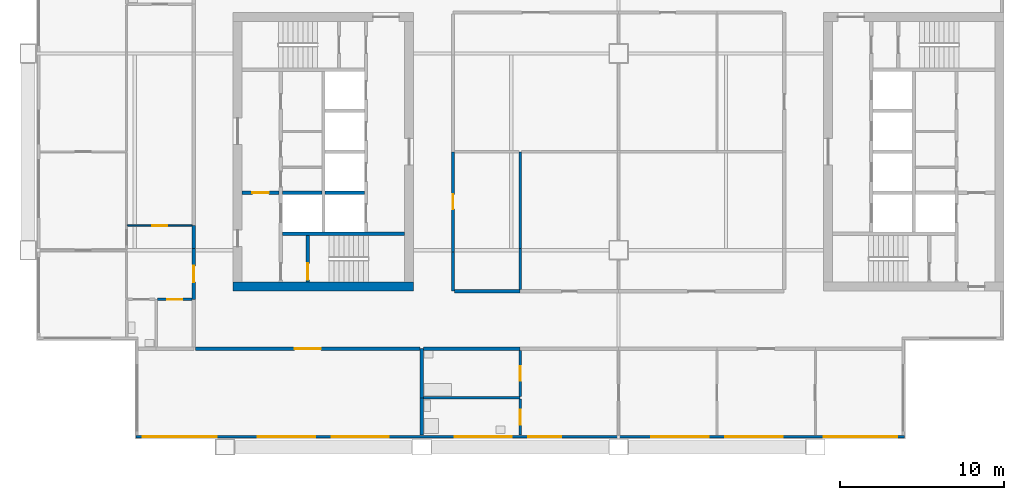
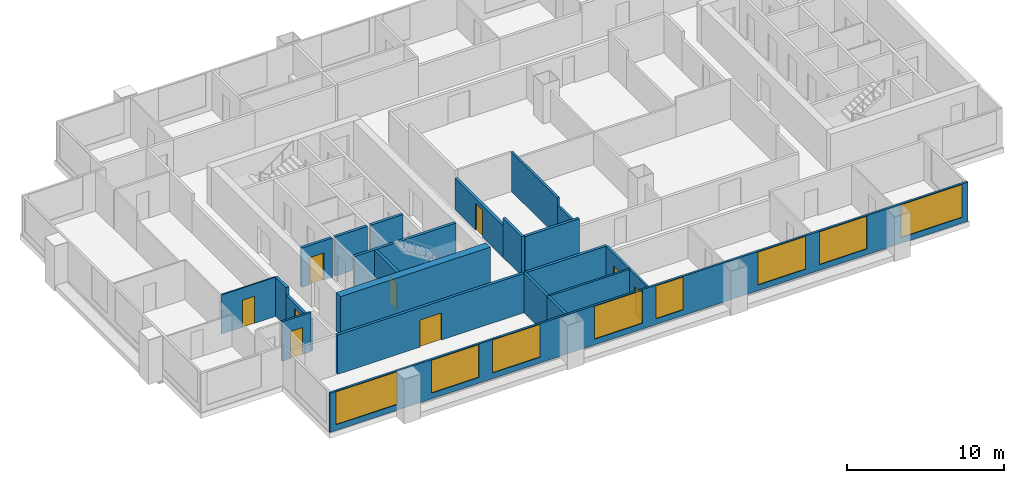
# One storey, part 2 of 9: 23 walls, 9 doors, 8 windows, 17 openings.
"""IFC4 building model written with IfcOpenShell, lengths in metres."""

import ifcopenshell
import ifcopenshell.guid

model = None  # the IFC model being written
_history = None  # IfcOwnerHistory: only IFC2X3 demands one
_inside = {}  # id of a spatial element -> (the spatial element, [elements in it])
_under = {}  # id of a project, library or spatial element -> (it, [spatial elements below it])
_declared = {}  # id of a project -> (the project, [libraries it declares])
_typed = {}  # id of a type object -> (the type object, [elements of that type])
_made_of = {}  # id of a material, layer set ... -> (it, [elements and type objects made of it])


def new_model(schema):
    """Start an empty IFC model of exactly this schema.

    Asked for "IFC4X3", IfcOpenShell would pick the latest addendum, in which some entities
    have other attributes; the version numbers below select the first issue.
    IFC2X3 requires an IfcOwnerHistory on every rooted entity: one is made here for all.
    """
    global model, _history
    if schema == "IFC4X3":
        model = ifcopenshell.file(schema_version=(4, 3, 0, 0))
    else:
        model = ifcopenshell.file(schema=schema)
    _inside.clear()
    _under.clear()
    _declared.clear()
    _typed.clear()
    _made_of.clear()
    _history = None
    if model.schema == "IFC2X3":
        org = make("IfcOrganization", Name="unknown")
        user = make(
            "IfcPersonAndOrganization",
            ThePerson=make("IfcPerson", FamilyName="unknown"),
            TheOrganization=org,
        )
        app = make(
            "IfcApplication",
            ApplicationDeveloper=org,
            Version="unknown",
            ApplicationFullName="unknown",
            ApplicationIdentifier="unknown",
        )
        _history = make(
            "IfcOwnerHistory",
            OwningUser=user,
            OwningApplication=app,
            ChangeAction="ADDED",
            CreationDate=0,
        )
    return model


def make(cls, **values):
    """One entity of the class cls with the attributes given. An attribute that is None is left unset."""
    return model.create_entity(
        cls, **{name: value for name, value in values.items() if value is not None}
    )


def rooted(cls, **values):
    """An entity with a GlobalId (a new one), such as an element, a storey or a relation."""
    return make(cls, GlobalId=ifcopenshell.guid.new(), OwnerHistory=_history, **values)


def si_unit(unit_type, name, prefix=None):
    """IfcSIUnit, for example si_unit("LENGTHUNIT", "METRE", prefix="MILLI")."""
    return make("IfcSIUnit", UnitType=unit_type, Prefix=prefix, Name=name)


def assignment(units):
    """IfcUnitAssignment: the units of a project."""
    return None if units is None else make("IfcUnitAssignment", Units=units)


def point(xyz):
    """IfcCartesianPoint."""
    return None if xyz is None else make("IfcCartesianPoint", Coordinates=xyz)


def direction(xyz):
    """IfcDirection."""
    return None if xyz is None else make("IfcDirection", DirectionRatios=xyz)


def frame(location, z_axis=None, x_axis=None):
    """IfcAxis2Placement3D, a coordinate frame: its origin and axes. An axis left out is left unset."""
    return make(
        "IfcAxis2Placement3D",
        Location=point(location),
        Axis=direction(z_axis),
        RefDirection=direction(x_axis),
    )


def frame_2d(location, x_axis=None):
    """IfcAxis2Placement2D, a coordinate frame in the plane: its origin and x axis."""
    return make(
        "IfcAxis2Placement2D", Location=point(location), RefDirection=direction(x_axis)
    )


def origin():
    """The frame at (0, 0, 0) with its axes left unset."""
    return frame((0.0, 0.0, 0.0))


def place(relative_to, where):
    """IfcLocalPlacement: puts the frame where relative to a parent placement (None: the world)."""
    return make(
        "IfcLocalPlacement", PlacementRelTo=relative_to, RelativePlacement=where
    )


def context(
    kind, dimensions, precision=None, world=None, true_north=None, identifier=None
):
    """IfcGeometricRepresentationContext, for example the 3D "Model" context."""
    return make(
        "IfcGeometricRepresentationContext",
        ContextIdentifier=identifier,
        ContextType=kind,
        CoordinateSpaceDimension=dimensions,
        Precision=precision,
        WorldCoordinateSystem=world,
        TrueNorth=true_north,
    )


def subcontext(parent, identifier, kind, view, scale=None):
    """IfcGeometricRepresentationSubContext, for example "Body" below "Model"."""
    return make(
        "IfcGeometricRepresentationSubContext",
        ContextIdentifier=identifier,
        ContextType=kind,
        ParentContext=parent,
        TargetScale=scale,
        TargetView=view,
    )


def project(units=None, contexts=None):
    """IfcProject with its units and contexts."""
    return rooted(
        "IfcProject",
        Name="project",
        RepresentationContexts=contexts,
        UnitsInContext=assignment(units),
    )


def spatial(cls, under=None, at=None, **own):
    """A site, building, storey or space (cls), placed at a placement, below another one or the project."""
    s = rooted(cls, ObjectPlacement=at, **own)
    if under is not None:
        _under.setdefault(under.id(), (under, []))[1].append(s)
    return s


def profile(cls, at=None, kind="AREA", **sizes):
    """A parametric profile (cls). Its sizes go by their IFC names, for example OverallWidth=200.0."""
    return make(cls, ProfileType=kind, Position=at, **sizes)


def rectangle(**sizes):
    """IfcRectangleProfileDef."""
    return profile("IfcRectangleProfileDef", **sizes)


def extrude(swept, where, along, depth):
    """IfcExtrudedAreaSolid: the profile swept, set in the frame where, extruded along a direction by depth."""
    return make(
        "IfcExtrudedAreaSolid",
        SweptArea=swept,
        Position=where,
        ExtrudedDirection=direction(along),
        Depth=depth,
    )


def shape(context_of_items, identifier, shape_type, items):
    """IfcShapeRepresentation: the items that make up one representation, for example the "Body"."""
    return make(
        "IfcShapeRepresentation",
        ContextOfItems=context_of_items,
        RepresentationIdentifier=identifier,
        RepresentationType=shape_type,
        Items=items,
    )


def material(Name=None, Category=None):
    """IfcMaterial."""
    return make("IfcMaterial", Name=Name, Category=Category)


def layer(
    of_material, thickness, ventilated=None, Name=None, Category=None, Priority=None
):
    """IfcMaterialLayer: one layer of a wall or slab, of a material (None: an air gap)."""
    return make(
        "IfcMaterialLayer",
        Material=of_material,
        LayerThickness=thickness,
        IsVentilated=ventilated,
        Name=Name,
        Category=Category,
        Priority=Priority,
    )


def layer_set(layers, Name=None):
    """IfcMaterialLayerSet."""
    return make("IfcMaterialLayerSet", MaterialLayers=layers, LayerSetName=Name)


def made_of(thing, what):
    """Note that an element or type object is made of a material, layer set ...; save() writes the relation."""
    if what is not None:
        _made_of.setdefault(what.id(), (what, []))[1].append(thing)
    return thing


def type_object(cls, material=None, **own):
    """A type object (cls), such as IfcWallType, which elements share."""
    return made_of(rooted(cls, **own), material)


def element(
    cls,
    number,
    at=None,
    inside=None,
    cuts=None,
    type_object=None,
    material=None,
    context=None,
    identifier="Body",
    shape_type=None,
    held_by="IfcProductDefinitionShape",
    body=None,
    shapes=None,
    **own,
):
    """One element of the class cls, such as IfcWall. Its Tag is "e" and its number.

    at: its placement. inside: the storey or other place that contains it. cuts: it is an
    opening in that element (IfcRelVoidsElement). A single representation is given by context,
    identifier, shape_type and body (its items); several are given by shapes. held_by: the class
    of the entity that holds the representations. save() writes the other relations.
    """
    e = rooted(cls, Tag="e%d" % number, ObjectPlacement=at, **own)
    if body is not None:
        shapes = [shape(context, identifier, shape_type, body)]
    if shapes is not None:
        e.Representation = make(held_by, Representations=shapes)
    if inside is not None:
        _inside.setdefault(inside.id(), (inside, []))[1].append(e)
    if cuts is not None:
        rooted(
            "IfcRelVoidsElement", RelatingBuildingElement=cuts, RelatedOpeningElement=e
        )
    if type_object is not None:
        _typed.setdefault(type_object.id(), (type_object, []))[1].append(e)
    return made_of(e, material)


def fill(opening, filler):
    """IfcRelFillsElement: the door or window that sits in an opening."""
    return rooted(
        "IfcRelFillsElement",
        RelatingOpeningElement=opening,
        RelatedBuildingElement=filler,
    )


def aggregate(whole, parts):
    """IfcRelAggregates: a whole, such as a stair, and the parts it consists of."""
    return rooted("IfcRelAggregates", RelatingObject=whole, RelatedObjects=parts)


def save(model, path):
    """Write the relations noted so far, then the file.

    IfcRelAggregates (storeys below a building ...), IfcRelContainedInSpatialStructure (elements
    in a storey), IfcRelDefinesByType, IfcRelAssociatesMaterial and IfcRelDeclares: one each for
    every whole, place, type object, material and project.
    """
    for whole, parts in _under.values():
        aggregate(whole, parts)
    for where, things in _inside.values():
        rooted(
            "IfcRelContainedInSpatialStructure",
            RelatedElements=things,
            RelatingStructure=where,
        )
    for kind, things in _typed.values():
        rooted("IfcRelDefinesByType", RelatedObjects=things, RelatingType=kind)
    for what, things in _made_of.values():
        rooted("IfcRelAssociatesMaterial", RelatedObjects=things, RelatingMaterial=what)
    for by, libraries in _declared.values():
        rooted("IfcRelDeclares", RelatingContext=by, RelatedDefinitions=libraries)
    model.write(path)


model = new_model("IFC4")

# Units and contexts
model_context = context("Model", 3, precision=1e-05, world=origin(), true_north=direction((0.0, 1.0)))
body_context = subcontext(model_context, "Body", "Model", "MODEL_VIEW")
ifc_project = project(units=[si_unit("LENGTHUNIT", "METRE"), si_unit("AREAUNIT", "SQUARE_METRE"), si_unit("VOLUMEUNIT", "CUBIC_METRE"), si_unit("PLANEANGLEUNIT", "RADIAN"), si_unit("MASSUNIT", "GRAM", prefix="KILO")], contexts=[model_context])

# Site, building, storey
site_placement = place(None, origin())
site = spatial("IfcSite", under=ifc_project, at=site_placement, CompositionType="ELEMENT")
building_placement = place(site_placement, origin())
building = spatial("IfcBuilding", under=site, at=building_placement, Name="Kitamizu Gate Tower and Museum", CompositionType="ELEMENT")
storey_placement = place(building_placement, frame((0.0, 0.0, 210.0)))
storey = spatial("IfcBuildingStorey", under=building, at=storey_placement, Name="L56", CompositionType="ELEMENT", Elevation=210.0)

# Wall
ifc_material_1 = material(Name="Concrete Fc42", Category="concrete")
ifc_layer_1 = layer(ifc_material_1, 0.550048828125)
ifc_layer_set_1 = layer_set([ifc_layer_1], Name="Concrete Fc42")
wall_type_1 = type_object("IfcWallType", Name="Core wall 550", PredefinedType="SHEAR", material=ifc_layer_set_1)
wall_1_placement = place(storey_placement, frame((12.5, 21.77490234375, 0.0), z_axis=(0.0, 0.0, 1.0), x_axis=(1.0, 0.0, 0.0)))
element("IfcWall", 1, at=wall_1_placement, inside=storey, type_object=wall_type_1, Name="Core wall WS", PredefinedType="SHEAR", context=body_context, shape_type="SweptSolid", body=[
    extrude(rectangle(XDim=11.0, YDim=0.550048828125, at=frame_2d((5.5, 0.0))), origin(), (0.0, 0.0, 1.0), 3.050048828125),
])

# Wall, opening, door
ifc_material_2 = material(Name="Gypsum board on galvanised stud")
ifc_layer_2 = layer(ifc_material_2, 0.10009765625)
ifc_layer_set_2 = layer_set([ifc_layer_2], Name="Gypsum board on galvanised stud")
wall_type_2 = type_object("IfcWallType", Name="Partition 100 NOT RATED", PredefinedType="PARTITIONING", material=ifc_layer_set_2)
wall_2_placement = place(storey_placement, frame((10.0, 25.5, 0.0), z_axis=(0.0, 0.0, 1.0), x_axis=(-1.0, 0.0, 0.0)))
wall_2 = element("IfcWall", 2, at=wall_2_placement, inside=storey, type_object=wall_type_2, Name="Partition L56-050", PredefinedType="PARTITIONING", context=body_context, shape_type="SweptSolid", body=[
    extrude(rectangle(XDim=3.949951171875, YDim=0.10009765625, at=frame_2d((1.97509765625, 0.0))), origin(), (0.0, 0.0, 1.0), 3.050048828125),
])
opening_1_placement = place(wall_2_placement, frame((1.52490234375, 0.0, 0.0)))
opening_1 = element("IfcOpeningElement", 3, at=opening_1_placement, cuts=wall_2, Name="Opening L56-019", PredefinedType="OPENING", context=body_context, shape_type="SweptSolid", body=[
    extrude(rectangle(XDim=0.89990234375, YDim=2.10009765625, at=frame_2d((0.449951171875, 1.050048828125))), frame((0.0, 0.06005859375, 0.0), z_axis=(0.0, -1.0, 0.0), x_axis=(1.0, 0.0, 0.0)), (0.0, 0.0, 1.0), 0.1201171875),
])
ifc_material_3 = material(Name="Timber door set", Category="wood")
door_type_1 = type_object("IfcDoorType", Name="Room door 900", OperationType="NOTDEFINED", PredefinedType="DOOR", material=ifc_material_3)
door_1_placement = place(opening_1_placement, origin())
door_1 = element("IfcDoor", 4, at=door_1_placement, inside=storey, type_object=door_type_1, Name="Door L56-019", OperationType="SINGLE_SWING_LEFT", OverallHeight=2.10009765625, OverallWidth=0.89990234375, PredefinedType="DOOR", context=body_context, shape_type="SweptSolid", body=[
    extrude(rectangle(XDim=0.89990234375, YDim=2.10009765625, at=frame_2d((0.449951171875, 1.050048828125))), frame((0.0, 0.02490234375, 0.0), z_axis=(0.0, -1.0, 0.0), x_axis=(1.0, 0.0, 0.0)), (0.0, 0.0, 1.0), 0.050048828125),
])
fill(opening_1, door_1)

# Wall
ifc_material_4 = material(Name="Gypsum board on galvanised stud")
ifc_layer_3 = layer(ifc_material_4, 0.14990234375)
ifc_layer_set_3 = layer_set([ifc_layer_3], Name="Gypsum board on galvanised stud")
wall_type_3 = type_object("IfcWallType", Name="Partition 150", PredefinedType="PARTITIONING", material=ifc_layer_set_3)
wall_3_placement = place(storey_placement, frame((30.0, 15.0, 0.0), z_axis=(0.0, 0.0, 1.0), x_axis=(-1.0, 0.0, 0.0)))
element("IfcWall", 5, at=wall_3_placement, inside=storey, type_object=wall_type_3, Name="Partition L56-001", PredefinedType="PARTITIONING", context=body_context, shape_type="SweptSolid", body=[
    extrude(rectangle(XDim=5.89990234375, YDim=0.14990234375, at=frame_2d((2.949951171875, 0.0))), origin(), (0.0, 0.0, 1.0), 3.050048828125),
])

# Wall, opening, door
wall_4_placement = place(storey_placement, frame((30.0, 12.719970703125, 0.0), z_axis=(0.0, 0.0, 1.0), x_axis=(0.0, 1.0, 0.0)))
wall_4 = element("IfcWall", 6, at=wall_4_placement, inside=storey, type_object=wall_type_3, Name="Partition L56-002", PredefinedType="PARTITIONING", context=body_context, shape_type="SweptSolid", body=[
    extrude(rectangle(XDim=2.205078125, YDim=0.14990234375, at=frame_2d((1.1025390625, 0.0))), origin(), (0.0, 0.0, 1.0), 3.050048828125),
])
opening_2_placement = place(wall_4_placement, frame((0.652587890625, 0.0, 0.0)))
opening_2 = element("IfcOpeningElement", 7, at=opening_2_placement, cuts=wall_4, Name="Opening L56-004", PredefinedType="OPENING", context=body_context, shape_type="SweptSolid", body=[
    extrude(rectangle(XDim=0.89990234375, YDim=2.10009765625, at=frame_2d((0.449951171875, 1.050048828125))), frame((0.0, 0.0849609375, 0.0), z_axis=(0.0, -1.0, 0.0), x_axis=(1.0, 0.0, 0.0)), (0.0, 0.0, 1.0), 0.169921875),
])
ifc_material_5 = material(Name="Timber door set", Category="wood")
door_type_2 = type_object("IfcDoorType", Name="Bathroom door 900", OperationType="NOTDEFINED", PredefinedType="DOOR", material=ifc_material_5)
door_2_placement = place(opening_2_placement, origin())
door_2 = element("IfcDoor", 8, at=door_2_placement, inside=storey, type_object=door_type_2, Name="Bathroom door L56-004", OperationType="SINGLE_SWING_LEFT", OverallHeight=2.10009765625, OverallWidth=0.89990234375, PredefinedType="DOOR", context=body_context, shape_type="SweptSolid", body=[
    extrude(rectangle(XDim=0.89990234375, YDim=2.10009765625, at=frame_2d((0.449951171875, 1.050048828125))), frame((0.0, 0.02490234375, 0.0), z_axis=(0.0, -1.0, 0.0), x_axis=(1.0, 0.0, 0.0)), (0.0, 0.0, 1.0), 0.050048828125),
])
fill(opening_2, door_2)

wall_5_placement = place(storey_placement, frame((30.0, 15.074951171875, 0.0), z_axis=(0.0, 0.0, 1.0), x_axis=(0.0, 1.0, 0.0)))
wall_5 = element("IfcWall", 9, at=wall_5_placement, inside=storey, type_object=wall_type_3, Name="Partition L56-004", PredefinedType="PARTITIONING", context=body_context, shape_type="SweptSolid", body=[
    extrude(rectangle(XDim=2.824951171875, YDim=0.14990234375, at=frame_2d((1.41259765625, 0.0))), origin(), (0.0, 0.0, 1.0), 3.050048828125),
])
opening_3_placement = place(wall_5_placement, frame((0.96240234375, 0.0, 0.0)))
opening_3 = element("IfcOpeningElement", 10, at=opening_3_placement, cuts=wall_5, Name="Opening L56-005", PredefinedType="OPENING", context=body_context, shape_type="SweptSolid", body=[
    extrude(rectangle(XDim=0.89990234375, YDim=2.10009765625, at=frame_2d((0.449951171875, 1.050048828125))), frame((0.0, 0.0849609375, 0.0), z_axis=(0.0, -1.0, 0.0), x_axis=(1.0, 0.0, 0.0)), (0.0, 0.0, 1.0), 0.169921875),
])
door_3_placement = place(opening_3_placement, origin())
door_3 = element("IfcDoor", 11, at=door_3_placement, inside=storey, type_object=door_type_2, Name="Bathroom door L56-005", OperationType="SINGLE_SWING_RIGHT", OverallHeight=2.10009765625, OverallWidth=0.89990234375, PredefinedType="DOOR", context=body_context, shape_type="SweptSolid", body=[
    extrude(rectangle(XDim=0.89990234375, YDim=2.10009765625, at=frame_2d((0.449951171875, 1.050048828125))), frame((0.0, 0.02490234375, 0.0), z_axis=(0.0, -1.0, 0.0), x_axis=(1.0, 0.0, 0.0)), (0.0, 0.0, 1.0), 0.050048828125),
])
fill(opening_3, door_3)

wall_6_placement = place(storey_placement, frame((10.0, 21.0, 0.0), z_axis=(0.0, 0.0, 1.0), x_axis=(-1.0, 0.0, 0.0)))
wall_6 = element("IfcWall", 12, at=wall_6_placement, inside=storey, type_object=wall_type_3, Name="Partition L56-047", PredefinedType="PARTITIONING", context=body_context, shape_type="SweptSolid", body=[
    extrude(rectangle(XDim=2.125, YDim=0.14990234375, at=frame_2d((1.0625, 0.0))), origin(), (0.0, 0.0, 1.0), 3.050048828125),
])
opening_4_placement = place(wall_6_placement, frame((0.612548828125, 0.0, 0.0)))
opening_4 = element("IfcOpeningElement", 13, at=opening_4_placement, cuts=wall_6, Name="Opening L56-023", PredefinedType="OPENING", context=body_context, shape_type="SweptSolid", body=[
    extrude(rectangle(XDim=0.89990234375, YDim=2.10009765625, at=frame_2d((0.449951171875, 1.050048828125))), frame((0.0, 0.0849609375, 0.0), z_axis=(0.0, -1.0, 0.0), x_axis=(1.0, 0.0, 0.0)), (0.0, 0.0, 1.0), 0.169921875),
])
door_4_placement = place(opening_4_placement, origin())
door_4 = element("IfcDoor", 14, at=door_4_placement, inside=storey, type_object=door_type_2, Name="Bathroom door L56-023", OperationType="SINGLE_SWING_LEFT", OverallHeight=2.10009765625, OverallWidth=0.89990234375, PredefinedType="DOOR", context=body_context, shape_type="SweptSolid", body=[
    extrude(rectangle(XDim=0.89990234375, YDim=2.10009765625, at=frame_2d((0.449951171875, 1.050048828125))), frame((0.0, 0.02490234375, 0.0), z_axis=(0.0, -1.0, 0.0), x_axis=(1.0, 0.0, 0.0)), (0.0, 0.0, 1.0), 0.050048828125),
])
fill(opening_4, door_4)

# Walls
wall_7_placement = place(storey_placement, frame((30.0, 21.60009765625, 0.0), z_axis=(0.0, 0.0, 1.0), x_axis=(0.0, 1.0, 0.0)))
element("IfcWall", 15, at=wall_7_placement, inside=storey, type_object=wall_type_3, Name="Partition L56-072", PredefinedType="PARTITIONING", context=body_context, shape_type="SweptSolid", body=[
    extrude(rectangle(XDim=2.5, YDim=0.14990234375, at=frame_2d((1.25, 0.0))), origin(), (0.0, 0.0, 1.0), 2.449951171875),
])
wall_8_placement = place(storey_placement, frame((30.0, 24.10009765625, 0.0), z_axis=(0.0, 0.0, 1.0), x_axis=(0.0, 1.0, 0.0)))
element("IfcWall", 16, at=wall_8_placement, inside=storey, type_object=wall_type_3, Name="Partition L56-073", PredefinedType="PARTITIONING", context=body_context, shape_type="SweptSolid", body=[
    extrude(rectangle(XDim=5.89990234375, YDim=0.14990234375, at=frame_2d((2.949951171875, 0.0))), origin(), (0.0, 0.0, 1.0), 3.050048828125),
])
ifc_material_6 = material(Name="Gypsum board on galvanised stud")
ifc_layer_4 = layer(ifc_material_6, 0.199951171875)
ifc_layer_set_4 = layer_set([ifc_layer_4], Name="Gypsum board on galvanised stud")
wall_type_4 = type_object("IfcWallType", Name="Partition 200", PredefinedType="PARTITIONING", material=ifc_layer_set_4)
wall_9_placement = place(storey_placement, frame((24.0, 15.0, 0.0), z_axis=(0.0, 0.0, 1.0), x_axis=(0.0, -1.0, 0.0)))
element("IfcWall", 17, at=wall_9_placement, inside=storey, type_object=wall_type_4, Name="Partition L56-003", PredefinedType="PARTITIONING", context=body_context, shape_type="SweptSolid", body=[
    extrude(rectangle(XDim=2.280029296875, YDim=0.199951171875, at=frame_2d((1.14013671875, 0.0))), origin(), (0.0, 0.0, 1.0), 3.050048828125),
])
wall_10_placement = place(storey_placement, frame((24.0, 18.0, 0.0), z_axis=(0.0, 0.0, 1.0), x_axis=(0.0, -1.0, 0.0)))
element("IfcWall", 18, at=wall_10_placement, inside=storey, type_object=wall_type_4, Name="Partition L56-005", PredefinedType="PARTITIONING", context=body_context, shape_type="SweptSolid", body=[
    extrude(rectangle(XDim=3.0, YDim=0.199951171875, at=frame_2d((1.5, 0.0))), origin(), (0.0, 0.0, 1.0), 3.050048828125),
])
wall_11_placement = place(storey_placement, frame((30.0, 18.0, 0.0), z_axis=(0.0, 0.0, 1.0), x_axis=(-1.0, 0.0, 0.0)))
element("IfcWall", 19, at=wall_11_placement, inside=storey, type_object=wall_type_4, Name="Partition L56-006", PredefinedType="PARTITIONING", context=body_context, shape_type="SweptSolid", body=[
    extrude(rectangle(XDim=5.89990234375, YDim=0.199951171875, at=frame_2d((2.949951171875, 0.0))), origin(), (0.0, 0.0, 1.0), 3.050048828125),
])

# Wall, opening, door
wall_12_placement = place(storey_placement, frame((10.10009765625, 21.0, 0.0), z_axis=(0.0, 0.0, 1.0), x_axis=(0.0, 1.0, 0.0)))
wall_12 = element("IfcWall", 20, at=wall_12_placement, inside=storey, type_object=wall_type_4, Name="Partition L56-051", PredefinedType="PARTITIONING", context=body_context, shape_type="SweptSolid", body=[
    extrude(rectangle(XDim=3.10009765625, YDim=0.199951171875, at=frame_2d((1.550048828125, 0.0))), origin(), (0.0, 0.0, 1.0), 2.449951171875),
])
opening_5_placement = place(wall_12_placement, frame((1.050048828125, 0.0, 0.0)))
opening_5 = element("IfcOpeningElement", 21, at=opening_5_placement, cuts=wall_12, Name="Opening L56-017", PredefinedType="OPENING", context=body_context, shape_type="SweptSolid", body=[
    extrude(rectangle(XDim=1.0, YDim=2.10009765625, at=frame_2d((0.5, 1.050048828125))), frame((0.0, 0.10986328125, 0.0), z_axis=(0.0, -1.0, 0.0), x_axis=(1.0, 0.0, 0.0)), (0.0, 0.0, 1.0), 0.219970703125),
])
ifc_material_7 = material(Name="Timber door set", Category="wood")
door_type_3 = type_object("IfcDoorType", Name="Flat entrance door 1000", OperationType="NOTDEFINED", PredefinedType="DOOR", material=ifc_material_7)
door_5_placement = place(opening_5_placement, origin())
door_5 = element("IfcDoor", 22, at=door_5_placement, inside=storey, type_object=door_type_3, Name="Flat entrance door L56-017", OperationType="SINGLE_SWING_RIGHT", OverallHeight=2.10009765625, OverallWidth=1.0, PredefinedType="DOOR", context=body_context, shape_type="SweptSolid", body=[
    extrude(rectangle(XDim=1.0, YDim=2.10009765625, at=frame_2d((0.5, 1.050048828125))), frame((0.0, 0.02490234375, 0.0), z_axis=(0.0, -1.0, 0.0), x_axis=(1.0, 0.0, 0.0)), (0.0, 0.0, 1.0), 0.050048828125),
])
fill(opening_5, door_5)

# Wall
wall_13_placement = place(storey_placement, frame((10.10009765625, 24.10009765625, 0.0), z_axis=(0.0, 0.0, 1.0), x_axis=(0.0, 1.0, 0.0)))
element("IfcWall", 23, at=wall_13_placement, inside=storey, type_object=wall_type_4, Name="Partition L56-052", PredefinedType="PARTITIONING", context=body_context, shape_type="SweptSolid", body=[
    extrude(rectangle(XDim=1.39990234375, YDim=0.199951171875, at=frame_2d((0.699951171875, 0.0))), origin(), (0.0, 0.0, 1.0), 3.050048828125),
])

# Wall, opening, door
wall_14_placement = place(storey_placement, frame((23.89990234375, 18.0, 0.0), z_axis=(0.0, 0.0, 1.0), x_axis=(-1.0, 0.0, 0.0)))
wall_14 = element("IfcWall", 24, at=wall_14_placement, inside=storey, type_object=wall_type_4, Name="Partition L56-057", PredefinedType="PARTITIONING", context=body_context, shape_type="SweptSolid", body=[
    extrude(rectangle(XDim=13.699951171875, YDim=0.199951171875, at=frame_2d((6.85009765625, 0.0))), origin(), (0.0, 0.0, 1.0), 3.050048828125),
])
opening_6_placement = place(wall_14_placement, frame((6.050048828125, 0.0, 0.0)))
opening_6 = element("IfcOpeningElement", 25, at=opening_6_placement, cuts=wall_14, Name="Opening L56-025", PredefinedType="OPENING", context=body_context, shape_type="SweptSolid", body=[
    extrude(rectangle(XDim=1.60009765625, YDim=2.10009765625, at=frame_2d((0.800048828125, 1.050048828125))), frame((0.0, 0.10986328125, 0.0), z_axis=(0.0, -1.0, 0.0), x_axis=(1.0, 0.0, 0.0)), (0.0, 0.0, 1.0), 0.219970703125),
])
ifc_material_8 = material(Name="Timber door set", Category="wood")
door_type_4 = type_object("IfcDoorType", Name="Double door 1600", OperationType="DOUBLE_DOOR_SINGLE_SWING", PredefinedType="DOOR", material=ifc_material_8)
door_6_placement = place(opening_6_placement, origin())
door_6 = element("IfcDoor", 26, at=door_6_placement, inside=storey, type_object=door_type_4, Name="Double door L56-025", OperationType="DOUBLE_DOOR_SINGLE_SWING", OverallHeight=2.10009765625, OverallWidth=1.60009765625, PredefinedType="DOOR", context=body_context, shape_type="SweptSolid", body=[
    extrude(rectangle(XDim=1.60009765625, YDim=2.10009765625, at=frame_2d((0.800048828125, 1.050048828125))), frame((0.0, 0.02490234375, 0.0), z_axis=(0.0, -1.0, 0.0), x_axis=(1.0, 0.0, 0.0)), (0.0, 0.0, 1.0), 0.050048828125),
])
fill(opening_6, door_6)

wall_15_placement = place(storey_placement, frame((25.89990234375, 30.0, 0.0), z_axis=(0.0, 0.0, 1.0), x_axis=(0.0, -1.0, 0.0)))
wall_15 = element("IfcWall", 27, at=wall_15_placement, inside=storey, type_object=wall_type_4, Name="Partition L56-058", PredefinedType="PARTITIONING", context=body_context, shape_type="SweptSolid", body=[
    extrude(rectangle(XDim=6.10009765625, YDim=0.199951171875, at=frame_2d((3.050048828125, 0.0))), origin(), (0.0, 0.0, 1.0), 2.449951171875),
])
opening_7_placement = place(wall_15_placement, frame((2.60009765625, 0.0, 0.0)))
opening_7 = element("IfcOpeningElement", 28, at=opening_7_placement, cuts=wall_15, Name="Opening L56-026", PredefinedType="OPENING", context=body_context, shape_type="SweptSolid", body=[
    extrude(rectangle(XDim=0.89990234375, YDim=2.10009765625, at=frame_2d((0.449951171875, 1.050048828125))), frame((0.0, 0.10986328125, 0.0), z_axis=(0.0, -1.0, 0.0), x_axis=(1.0, 0.0, 0.0)), (0.0, 0.0, 1.0), 0.219970703125),
])
door_7_placement = place(opening_7_placement, origin())
door_7 = element("IfcDoor", 29, at=door_7_placement, inside=storey, type_object=door_type_1, Name="Door L56-026", OperationType="SINGLE_SWING_LEFT", OverallHeight=2.10009765625, OverallWidth=0.89990234375, PredefinedType="DOOR", context=body_context, shape_type="SweptSolid", body=[
    extrude(rectangle(XDim=0.89990234375, YDim=2.10009765625, at=frame_2d((0.449951171875, 1.050048828125))), frame((0.0, 0.02490234375, 0.0), z_axis=(0.0, -1.0, 0.0), x_axis=(1.0, 0.0, 0.0)), (0.0, 0.0, 1.0), 0.050048828125),
])
fill(opening_7, door_7)

# Walls
wall_16_placement = place(storey_placement, frame((25.89990234375, 23.89990234375, 0.0), z_axis=(0.0, 0.0, 1.0), x_axis=(0.0, -1.0, 0.0)))
element("IfcWall", 30, at=wall_16_placement, inside=storey, type_object=wall_type_4, Name="Partition L56-059", PredefinedType="PARTITIONING", context=body_context, shape_type="SweptSolid", body=[
    extrude(rectangle(XDim=2.39990234375, YDim=0.199951171875, at=frame_2d((1.199951171875, 0.0))), origin(), (0.0, 0.0, 1.0), 3.050048828125),
])
wall_17_placement = place(storey_placement, frame((26.0, 21.5, 0.0), z_axis=(0.0, 0.0, 1.0), x_axis=(1.0, 0.0, 0.0)))
element("IfcWall", 31, at=wall_17_placement, inside=storey, type_object=wall_type_4, Name="Partition L56-060", PredefinedType="PARTITIONING", context=body_context, shape_type="SweptSolid", body=[
    extrude(rectangle(XDim=4.0, YDim=0.199951171875, at=frame_2d((2.0, 0.0))), origin(), (0.0, 0.0, 1.0), 3.050048828125),
])
ifc_material_9 = material(Name="Concrete Fc42", Category="concrete")
ifc_layer_5 = layer(ifc_material_9, 0.199951171875)
ifc_layer_set_5 = layer_set([ifc_layer_5], Name="Concrete Fc42")
wall_type_5 = type_object("IfcWallType", Name="Shaft wall 200", PredefinedType="SOLIDWALL", material=ifc_layer_set_5)
wall_18_placement = place(storey_placement, frame((15.5, 25.0, 0.0), z_axis=(0.0, 0.0, 1.0), x_axis=(1.0, 0.0, 0.0)))
element("IfcWall", 32, at=wall_18_placement, inside=storey, type_object=wall_type_5, Name="Shaft wall WSB", PredefinedType="SOLIDWALL", context=body_context, shape_type="SweptSolid", body=[
    extrude(rectangle(XDim=7.449951171875, YDim=0.199951171875, at=frame_2d((3.72509765625, 0.0))), origin(), (0.0, 0.0, 1.0), 3.050048828125),
])

# Wall, opening, door
wall_19_placement = place(storey_placement, frame((13.050048828125, 27.5, 0.0), z_axis=(0.0, 0.0, 1.0), x_axis=(1.0, 0.0, 0.0)))
wall_19 = element("IfcWall", 33, at=wall_19_placement, inside=storey, type_object=wall_type_5, Name="Shaft wall WFFN", PredefinedType="SOLIDWALL", context=body_context, shape_type="SweptSolid", body=[
    extrude(rectangle(XDim=2.25, YDim=0.199951171875, at=frame_2d((1.125, 0.0))), origin(), (0.0, 0.0, 1.0), 3.050048828125),
])
opening_8_placement = place(wall_19_placement, frame((0.625, 0.0, 0.0)))
opening_8 = element("IfcOpeningElement", 34, at=opening_8_placement, cuts=wall_19, Name="Opening L56-036", PredefinedType="OPENING", context=body_context, shape_type="SweptSolid", body=[
    extrude(rectangle(XDim=1.0, YDim=2.10009765625, at=frame_2d((0.5, 1.050048828125))), frame((0.0, 0.10986328125, 0.0), z_axis=(0.0, -1.0, 0.0), x_axis=(1.0, 0.0, 0.0)), (0.0, 0.0, 1.0), 0.219970703125),
])
ifc_material_10 = material(Name="Hollow metal door set")
door_type_5 = type_object("IfcDoorType", Name="Fire door 1000", OperationType="NOTDEFINED", PredefinedType="DOOR", material=ifc_material_10)
door_8_placement = place(opening_8_placement, frame((1.0, 0.0, 0.0), x_axis=(-1.0, 0.0, 0.0)))
door_8 = element("IfcDoor", 35, at=door_8_placement, inside=storey, type_object=door_type_5, Name="Fire-fighting lobby door L56-036", OperationType="SINGLE_SWING_RIGHT", OverallHeight=2.10009765625, OverallWidth=1.0, PredefinedType="DOOR", context=body_context, shape_type="SweptSolid", body=[
    extrude(rectangle(XDim=1.0, YDim=2.10009765625, at=frame_2d((0.5, 1.050048828125))), frame((0.0, 0.02490234375, 0.0), z_axis=(0.0, -1.0, 0.0), x_axis=(1.0, 0.0, 0.0)), (0.0, 0.0, 1.0), 0.050048828125),
])
fill(opening_8, door_8)

wall_20_placement = place(storey_placement, frame((17.050048828125, 22.050048828125, 0.0), z_axis=(0.0, 0.0, 1.0), x_axis=(0.0, 1.0, 0.0)))
wall_20 = element("IfcWall", 36, at=wall_20_placement, inside=storey, type_object=wall_type_5, Name="Shaft wall WSZ", PredefinedType="SOLIDWALL", context=body_context, shape_type="SweptSolid", body=[
    extrude(rectangle(XDim=2.849853515625, YDim=0.199951171875, at=frame_2d((1.4248046875, 0.0))), origin(), (0.0, 0.0, 1.0), 3.050048828125),
])
opening_9_placement = place(wall_20_placement, frame((0.14990234375, 0.0, 0.0)))
opening_9 = element("IfcOpeningElement", 37, at=opening_9_placement, cuts=wall_20, Name="Opening L56-032", PredefinedType="OPENING", context=body_context, shape_type="SweptSolid", body=[
    extrude(rectangle(XDim=1.0, YDim=2.10009765625, at=frame_2d((0.5, 1.050048828125))), frame((0.0, 0.10986328125, 0.0), z_axis=(0.0, -1.0, 0.0), x_axis=(1.0, 0.0, 0.0)), (0.0, 0.0, 1.0), 0.219970703125),
])
door_9_placement = place(opening_9_placement, frame((1.0, 0.0, 0.0), x_axis=(-1.0, 0.0, 0.0)))
door_9 = element("IfcDoor", 38, at=door_9_placement, inside=storey, type_object=door_type_5, Name="Stair door L56-032", OperationType="SINGLE_SWING_LEFT", OverallHeight=2.10009765625, OverallWidth=1.0, PredefinedType="DOOR", context=body_context, shape_type="SweptSolid", body=[
    extrude(rectangle(XDim=1.0, YDim=2.10009765625, at=frame_2d((0.5, 1.050048828125))), frame((0.0, 0.02490234375, 0.0), z_axis=(0.0, -1.0, 0.0), x_axis=(1.0, 0.0, 0.0)), (0.0, 0.0, 1.0), 0.050048828125),
])
fill(opening_9, door_9)

# Walls
for number, where, z_axis, x_axis, name in (
    (39, (15.5, 27.5, 0.0), (0.0, 0.0, 1.0), (1.0, 0.0, 0.0), "Shaft wall WDVW0"),
    (40, (18.10009765625, 27.5, 0.0), (0.0, 0.0, 1.0), (1.0, 0.0, 0.0), "Shaft wall WDVE0"),
):
    element("IfcWall", number, at=place(storey_placement, frame(where, z_axis=z_axis, x_axis=x_axis)), inside=storey, type_object=wall_type_5, Name=name, PredefinedType="SOLIDWALL", context=body_context, shape_type="SweptSolid", body=[
        extrude(rectangle(XDim=2.39990234375, YDim=0.199951171875, at=frame_2d((1.199951171875, 0.0))), origin(), (0.0, 0.0, 1.0), 3.050048828125),
    ])

# Wall, openings, windows
ifc_material_11 = material(Name="Bronze anodised aluminium frame with insulated spandrel and tinted glass", Category="aluminium")
ifc_layer_6 = layer(ifc_material_11, 0.14990234375)
ifc_layer_set_6 = layer_set([ifc_layer_6], Name="Bronze anodised aluminium frame with insulated spandrel and tinted glass")
wall_type_6 = type_object("IfcWallType", Name="WINDOW WALL 150 BRONZE FRAME EI 30", PredefinedType="ELEMENTEDWALL", material=ifc_layer_set_6)
wall_21_placement = place(storey_placement, frame((6.56005859375, 12.635009765625, 0.0), z_axis=(0.0, 0.0, 1.0), x_axis=(1.0, 0.0, 0.0)))
wall_21 = element("IfcWall", 41, at=wall_21_placement, inside=storey, type_object=wall_type_6, Name="Window wall south L56", PredefinedType="ELEMENTEDWALL", context=body_context, shape_type="SweptSolid", body=[
    extrude(rectangle(XDim=46.8798828125, YDim=0.14990234375, at=frame_2d((23.43994140625, 0.0))), origin(), (0.0, 0.0, 1.0), 3.050048828125),
])
opening_10_placement = place(wall_21_placement, frame((0.43994140625, 0.0, 0.449951171875)))
opening_10 = element("IfcOpeningElement", 42, at=opening_10_placement, cuts=wall_21, Name="Opening W15", PredefinedType="OPENING", context=body_context, shape_type="SweptSolid", body=[
    extrude(rectangle(XDim=4.5, YDim=2.550048828125, at=frame_2d((2.25, 1.27490234375))), frame((0.0, 0.0849609375, 0.0), z_axis=(0.0, -1.0, 0.0), x_axis=(1.0, 0.0, 0.0)), (0.0, 0.0, 1.0), 0.169921875),
])
opening_11_placement = place(wall_21_placement, frame((7.43994140625, 0.0, 0.449951171875)))
opening_11 = element("IfcOpeningElement", 43, at=opening_11_placement, cuts=wall_21, Name="Opening W35", PredefinedType="OPENING", context=body_context, shape_type="SweptSolid", body=[
    extrude(rectangle(XDim=3.5, YDim=2.550048828125, at=frame_2d((1.75, 1.27490234375))), frame((0.0, 0.0849609375, 0.0), z_axis=(0.0, -1.0, 0.0), x_axis=(1.0, 0.0, 0.0)), (0.0, 0.0, 1.0), 0.169921875),
])
opening_12_placement = place(wall_21_placement, frame((11.93994140625, 0.0, 0.449951171875)))
opening_12 = element("IfcOpeningElement", 44, at=opening_12_placement, cuts=wall_21, Name="Opening W35", PredefinedType="OPENING", context=body_context, shape_type="SweptSolid", body=[
    extrude(rectangle(XDim=3.5, YDim=2.550048828125, at=frame_2d((1.75, 1.27490234375))), frame((0.0, 0.0849609375, 0.0), z_axis=(0.0, -1.0, 0.0), x_axis=(1.0, 0.0, 0.0)), (0.0, 0.0, 1.0), 0.169921875),
])
opening_13_placement = place(wall_21_placement, frame((19.43994140625, 0.0, 0.449951171875)))
opening_13 = element("IfcOpeningElement", 45, at=opening_13_placement, cuts=wall_21, Name="Opening W35", PredefinedType="OPENING", context=body_context, shape_type="SweptSolid", body=[
    extrude(rectangle(XDim=3.5, YDim=2.550048828125, at=frame_2d((1.75, 1.27490234375))), frame((0.0, 0.0849609375, 0.0), z_axis=(0.0, -1.0, 0.0), x_axis=(1.0, 0.0, 0.0)), (0.0, 0.0, 1.0), 0.169921875),
])
opening_14_placement = place(wall_21_placement, frame((23.93994140625, 0.0, 0.449951171875)))
opening_14 = element("IfcOpeningElement", 46, at=opening_14_placement, cuts=wall_21, Name="Opening W2", PredefinedType="OPENING", context=body_context, shape_type="SweptSolid", body=[
    extrude(rectangle(XDim=2.0, YDim=2.550048828125, at=frame_2d((1.0, 1.27490234375))), frame((0.0, 0.0849609375, 0.0), z_axis=(0.0, -1.0, 0.0), x_axis=(1.0, 0.0, 0.0)), (0.0, 0.0, 1.0), 0.169921875),
])
opening_15_placement = place(wall_21_placement, frame((31.43994140625, 0.0, 0.449951171875)))
opening_15 = element("IfcOpeningElement", 47, at=opening_15_placement, cuts=wall_21, Name="Opening W35", PredefinedType="OPENING", context=body_context, shape_type="SweptSolid", body=[
    extrude(rectangle(XDim=3.5, YDim=2.550048828125, at=frame_2d((1.75, 1.27490234375))), frame((0.0, 0.0849609375, 0.0), z_axis=(0.0, -1.0, 0.0), x_axis=(1.0, 0.0, 0.0)), (0.0, 0.0, 1.0), 0.169921875),
])
opening_16_placement = place(wall_21_placement, frame((35.93994140625, 0.0, 0.449951171875)))
opening_16 = element("IfcOpeningElement", 48, at=opening_16_placement, cuts=wall_21, Name="Opening W35", PredefinedType="OPENING", context=body_context, shape_type="SweptSolid", body=[
    extrude(rectangle(XDim=3.5, YDim=2.550048828125, at=frame_2d((1.75, 1.27490234375))), frame((0.0, 0.0849609375, 0.0), z_axis=(0.0, -1.0, 0.0), x_axis=(1.0, 0.0, 0.0)), (0.0, 0.0, 1.0), 0.169921875),
])
opening_17_placement = place(wall_21_placement, frame((41.93994140625, 0.0, 0.449951171875)))
opening_17 = element("IfcOpeningElement", 49, at=opening_17_placement, cuts=wall_21, Name="Opening W15", PredefinedType="OPENING", context=body_context, shape_type="SweptSolid", body=[
    extrude(rectangle(XDim=4.5, YDim=2.550048828125, at=frame_2d((2.25, 1.27490234375))), frame((0.0, 0.0849609375, 0.0), z_axis=(0.0, -1.0, 0.0), x_axis=(1.0, 0.0, 0.0)), (0.0, 0.0, 1.0), 0.169921875),
])
ifc_material_12 = material(Name="Bronze anodised aluminium frame, tinted triple glazing", Category="aluminium")
window_type_1 = type_object("IfcWindowType", Name="WINDOW 2000 x 2550 SILL 450", PartitioningType="SINGLE_PANEL", PredefinedType="WINDOW", material=ifc_material_12)
window_1_placement = place(opening_14_placement, origin())
window_1 = element("IfcWindow", 50, at=window_1_placement, inside=storey, type_object=window_type_1, Name="Window W2 L56", OverallHeight=2.550048828125, OverallWidth=2.0, PartitioningType="SINGLE_PANEL", PredefinedType="WINDOW", context=body_context, shape_type="SweptSolid", body=[
    extrude(rectangle(XDim=2.0, YDim=2.550048828125, at=frame_2d((1.0, 1.27490234375))), frame((0.0, 0.030029296875, 0.0), z_axis=(0.0, -1.0, 0.0), x_axis=(1.0, 0.0, 0.0)), (0.0, 0.0, 1.0), 0.06005859375),
])
fill(opening_14, window_1)
ifc_material_13 = material(Name="Bronze anodised aluminium frame, tinted triple glazing", Category="aluminium")
window_type_2 = type_object("IfcWindowType", Name="WINDOW 3500 x 2550 SILL 450", PartitioningType="SINGLE_PANEL", PredefinedType="WINDOW", material=ifc_material_13)
window_2_placement = place(opening_11_placement, origin())
window_2 = element("IfcWindow", 51, at=window_2_placement, inside=storey, type_object=window_type_2, Name="Window W35 L56", OverallHeight=2.550048828125, OverallWidth=3.5, PartitioningType="SINGLE_PANEL", PredefinedType="WINDOW", context=body_context, shape_type="SweptSolid", body=[
    extrude(rectangle(XDim=3.5, YDim=2.550048828125, at=frame_2d((1.75, 1.27490234375))), frame((0.0, 0.030029296875, 0.0), z_axis=(0.0, -1.0, 0.0), x_axis=(1.0, 0.0, 0.0)), (0.0, 0.0, 1.0), 0.06005859375),
])
fill(opening_11, window_2)
window_3_placement = place(opening_12_placement, origin())
window_3 = element("IfcWindow", 52, at=window_3_placement, inside=storey, type_object=window_type_2, Name="Window W35 L56", OverallHeight=2.550048828125, OverallWidth=3.5, PartitioningType="SINGLE_PANEL", PredefinedType="WINDOW", context=body_context, shape_type="SweptSolid", body=[
    extrude(rectangle(XDim=3.5, YDim=2.550048828125, at=frame_2d((1.75, 1.27490234375))), frame((0.0, 0.030029296875, 0.0), z_axis=(0.0, -1.0, 0.0), x_axis=(1.0, 0.0, 0.0)), (0.0, 0.0, 1.0), 0.06005859375),
])
fill(opening_12, window_3)
window_4_placement = place(opening_13_placement, origin())
window_4 = element("IfcWindow", 53, at=window_4_placement, inside=storey, type_object=window_type_2, Name="Window W35 L56", OverallHeight=2.550048828125, OverallWidth=3.5, PartitioningType="SINGLE_PANEL", PredefinedType="WINDOW", context=body_context, shape_type="SweptSolid", body=[
    extrude(rectangle(XDim=3.5, YDim=2.550048828125, at=frame_2d((1.75, 1.27490234375))), frame((0.0, 0.030029296875, 0.0), z_axis=(0.0, -1.0, 0.0), x_axis=(1.0, 0.0, 0.0)), (0.0, 0.0, 1.0), 0.06005859375),
])
fill(opening_13, window_4)
window_5_placement = place(opening_15_placement, origin())
window_5 = element("IfcWindow", 54, at=window_5_placement, inside=storey, type_object=window_type_2, Name="Window W35 L56", OverallHeight=2.550048828125, OverallWidth=3.5, PartitioningType="SINGLE_PANEL", PredefinedType="WINDOW", context=body_context, shape_type="SweptSolid", body=[
    extrude(rectangle(XDim=3.5, YDim=2.550048828125, at=frame_2d((1.75, 1.27490234375))), frame((0.0, 0.030029296875, 0.0), z_axis=(0.0, -1.0, 0.0), x_axis=(1.0, 0.0, 0.0)), (0.0, 0.0, 1.0), 0.06005859375),
])
fill(opening_15, window_5)
window_6_placement = place(opening_16_placement, origin())
window_6 = element("IfcWindow", 55, at=window_6_placement, inside=storey, type_object=window_type_2, Name="Window W35 L56", OverallHeight=2.550048828125, OverallWidth=3.5, PartitioningType="SINGLE_PANEL", PredefinedType="WINDOW", context=body_context, shape_type="SweptSolid", body=[
    extrude(rectangle(XDim=3.5, YDim=2.550048828125, at=frame_2d((1.75, 1.27490234375))), frame((0.0, 0.030029296875, 0.0), z_axis=(0.0, -1.0, 0.0), x_axis=(1.0, 0.0, 0.0)), (0.0, 0.0, 1.0), 0.06005859375),
])
fill(opening_16, window_6)
ifc_material_14 = material(Name="Bronze anodised aluminium frame, tinted triple glazing", Category="aluminium")
window_type_3 = type_object("IfcWindowType", Name="WINDOW 4500 x 2550 SILL 450", PartitioningType="SINGLE_PANEL", PredefinedType="WINDOW", material=ifc_material_14)
window_7_placement = place(opening_10_placement, origin())
window_7 = element("IfcWindow", 56, at=window_7_placement, inside=storey, type_object=window_type_3, Name="Window W15 L56", OverallHeight=2.550048828125, OverallWidth=4.5, PartitioningType="SINGLE_PANEL", PredefinedType="WINDOW", context=body_context, shape_type="SweptSolid", body=[
    extrude(rectangle(XDim=4.5, YDim=2.550048828125, at=frame_2d((2.25, 1.27490234375))), frame((0.0, 0.030029296875, 0.0), z_axis=(0.0, -1.0, 0.0), x_axis=(1.0, 0.0, 0.0)), (0.0, 0.0, 1.0), 0.06005859375),
])
fill(opening_10, window_7)
window_8_placement = place(opening_17_placement, origin())
window_8 = element("IfcWindow", 57, at=window_8_placement, inside=storey, type_object=window_type_3, Name="Window W15 L56", OverallHeight=2.550048828125, OverallWidth=4.5, PartitioningType="SINGLE_PANEL", PredefinedType="WINDOW", context=body_context, shape_type="SweptSolid", body=[
    extrude(rectangle(XDim=4.5, YDim=2.550048828125, at=frame_2d((2.25, 1.27490234375))), frame((0.0, 0.030029296875, 0.0), z_axis=(0.0, -1.0, 0.0), x_axis=(1.0, 0.0, 0.0)), (0.0, 0.0, 1.0), 0.06005859375),
])
fill(opening_17, window_8)

save(model, "model.ifc")
